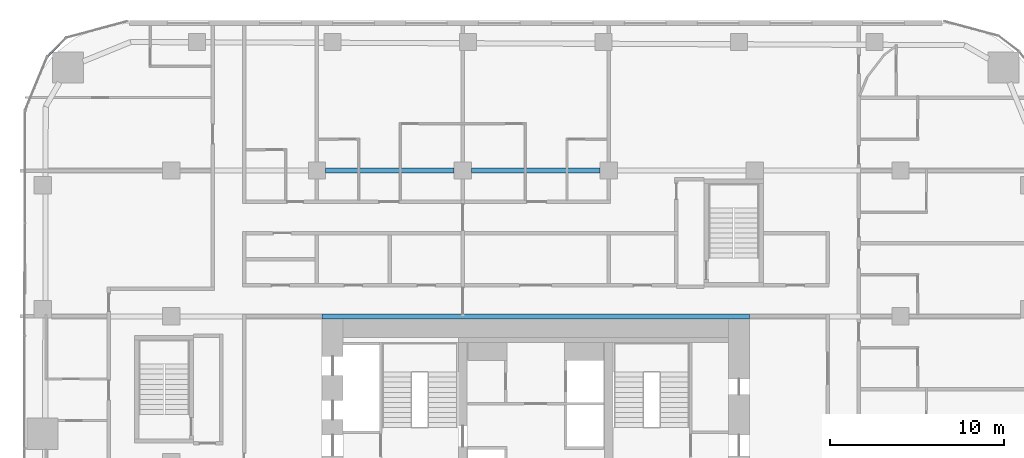
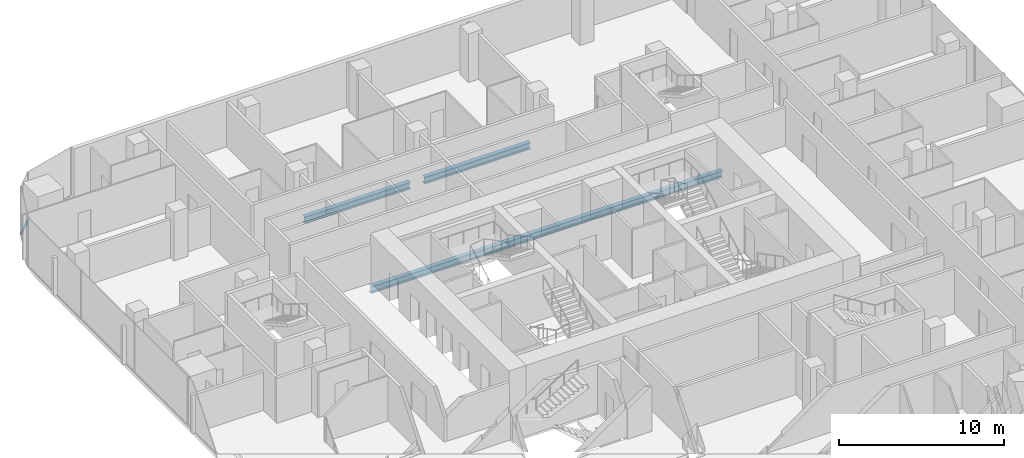
# One storey, part 9 of 25: 3 beams, 1 member, 1 element without a shape of its own.
"""IFC4 building model written with IfcOpenShell, lengths in metres."""

from ifc_helpers import new_model, si_unit, direction, frame, origin, origin_2d, place, context, subcontext, project, spatial, rectangle, i_section, extrude, material, layer, layer_set, material_profile, profile_set, type_object, element, aggregate, save


model = new_model("IFC4")

# Units and contexts
model_context = context("Model", 3, precision=1e-05, world=origin(), true_north=direction((0.0, 1.0)))
body_context = subcontext(model_context, "Body", "Model", "MODEL_VIEW")
ifc_project = project(units=[si_unit("LENGTHUNIT", "METRE"), si_unit("AREAUNIT", "SQUARE_METRE"), si_unit("VOLUMEUNIT", "CUBIC_METRE"), si_unit("PLANEANGLEUNIT", "RADIAN"), si_unit("MASSUNIT", "GRAM", prefix="KILO")], contexts=[model_context])

# Site, building, storey
site_placement = place(None, origin())
site = spatial("IfcSite", under=ifc_project, at=site_placement, CompositionType="ELEMENT")
building_placement = place(site_placement, origin())
building = spatial("IfcBuilding", under=site, at=building_placement, Name="Marenta Gate Hotel Tower", CompositionType="ELEMENT")
storey_placement = place(building_placement, frame((0.0, 0.0, 50.89990234375)))
storey = spatial("IfcBuildingStorey", under=building, at=storey_placement, Name="L10", CompositionType="ELEMENT", Elevation=50.89990234375)

# Beams
ifc_material_1 = material(Name="Steel S355", Category="steel")
ifc_material_profile_1 = material_profile(ifc_material_1, i_section(OverallWidth=0.300048828125, OverallDepth=0.5, WebThickness=0.014404296875, FlangeThickness=0.028076171875, FilletRadius=0.027099609375, at=origin_2d()), Name="HEB 500")
ifc_profile_set_1 = profile_set([ifc_material_profile_1], Name="Steel S355")
beam_type = type_object("IfcBeamType", Name="Girder HEB 500", PredefinedType="BEAM", material=ifc_profile_set_1)
beam_1_placement = place(storey_placement, frame((-12.300048828125, 16.800048828125, -0.510009765625), z_axis=(1.0, 0.0, 0.0), x_axis=(0.0, 1.0, 0.0)))
element("IfcBeam", 1, at=beam_1_placement, inside=storey, type_object=beam_type, Name="L10-GD-19", PredefinedType="BEAM", context=body_context, shape_type="SweptSolid", body=[
    extrude(i_section(OverallWidth=0.300048828125, OverallDepth=0.5, WebThickness=0.014404296875, FlangeThickness=0.028076171875, FilletRadius=0.027099609375, at=origin_2d()), origin(), (0.0, 0.0, 1.0), 24.60009765625),
])
beam_2_placement = place(storey_placement, frame((-12.10009765625, 25.199951171875, -0.510009765625), z_axis=(1.0, 0.0, 0.0), x_axis=(0.0, 1.0, 0.0)))
element("IfcBeam", 2, at=beam_2_placement, inside=storey, type_object=beam_type, Name="L10-GD-24", PredefinedType="BEAM", context=body_context, shape_type="SweptSolid", body=[
    extrude(i_section(OverallWidth=0.300048828125, OverallDepth=0.5, WebThickness=0.014404296875, FlangeThickness=0.028076171875, FilletRadius=0.027099609375, at=origin_2d()), origin(), (0.0, 0.0, 1.0), 7.400146484375),
])
beam_3_placement = place(storey_placement, frame((-3.699951171875, 25.199951171875, -0.510009765625), z_axis=(1.0, 0.0, 0.0), x_axis=(0.0, 1.0, 0.0)))
element("IfcBeam", 3, at=beam_3_placement, inside=storey, type_object=beam_type, Name="L10-GD-25", PredefinedType="BEAM", context=body_context, shape_type="SweptSolid", body=[
    extrude(i_section(OverallWidth=0.300048828125, OverallDepth=0.5, WebThickness=0.014404296875, FlangeThickness=0.028076171875, FilletRadius=0.027099609375, at=origin_2d()), origin(), (0.0, 0.0, 1.0), 7.39990234375),
])

# Curtain wall, member
ifc_material_2 = material(Name="Tinted insulated glass in bronze anodised frame", Category="glass")
ifc_layer = layer(ifc_material_2, 0.1201171875)
ifc_layer_set = layer_set([ifc_layer], Name="Tinted insulated glass in bronze anodised frame")
curtain_wall_type = type_object("IfcCurtainWallType", Name="Tower unitised curtain wall CW1", PredefinedType="NOTDEFINED", material=ifc_layer_set)
curtain_wall_placement = place(storey_placement, origin())
curtain_wall = element("IfcCurtainWall", 4, at=curtain_wall_placement, inside=storey, type_object=curtain_wall_type, Name="CW1 run G01", PredefinedType="NOTDEFINED")
ifc_material_3 = material(Name="Bronze anodised aluminium", Category="aluminium")
ifc_material_profile_2 = material_profile(ifc_material_3, rectangle(XDim=0.1201171875, YDim=0.06005859375, at=origin_2d()), Name="Transom CW1 60x120 bronze anodised aluminium")
ifc_profile_set_2 = profile_set([ifc_material_profile_2], Name="Bronze anodised aluminium")
member_type = type_object("IfcMemberType", Name="Transom CW1 60x120 bronze anodised aluminium", PredefinedType="USERDEFINED", material=ifc_profile_set_2)
member_placement = place(storey_placement, frame((-27.082275390625, 32.80859375, 0.030029296875), z_axis=(-0.707106781187, -0.707106781187, 0.0), x_axis=(0.707106781187, -0.707106781187, 0.0)))
member = element("IfcMember", 5, at=member_placement, type_object=member_type, Name="CW1 transom 1.1", ObjectType="TRANSOM", PredefinedType="USERDEFINED", context=body_context, shape_type="SweptSolid", body=[
    extrude(rectangle(XDim=0.1201171875, YDim=0.06005859375, at=origin_2d()), origin(), (0.0, 0.0, 1.0), 1.48291015625),
])
aggregate(curtain_wall, [member])

save(model, "model.ifc")
